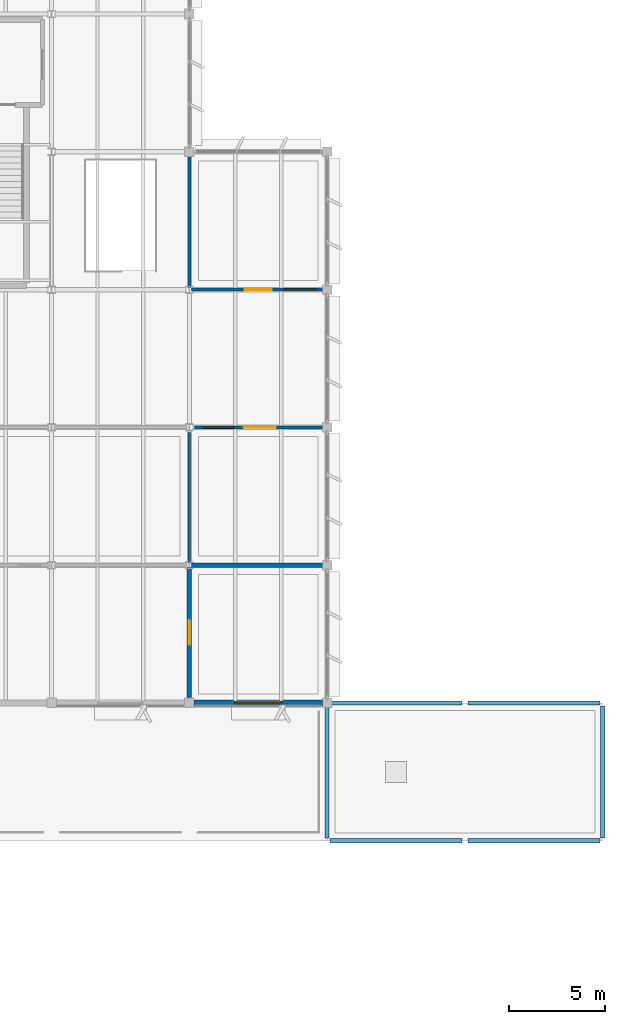
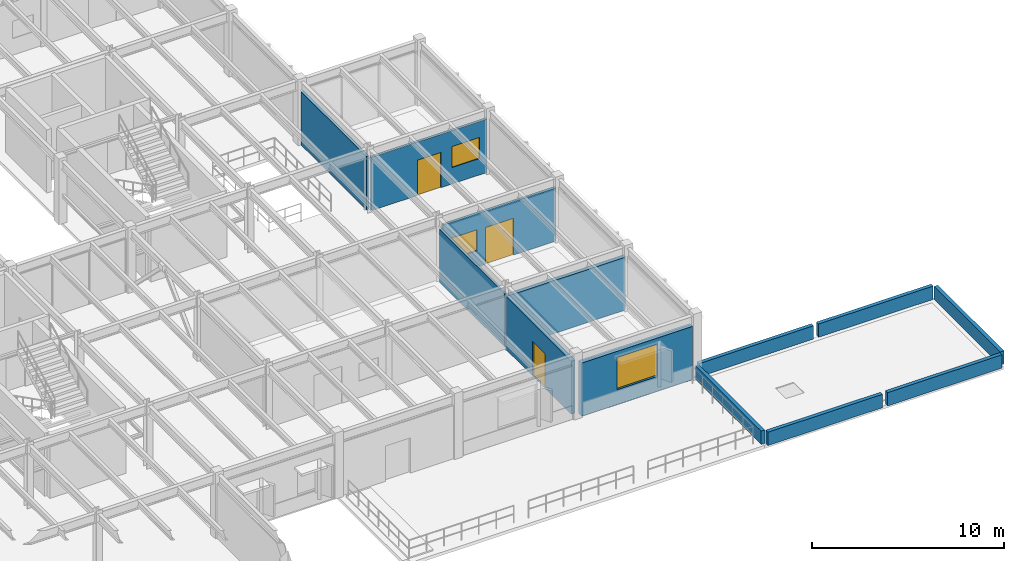
# One storey, part 43 of 85: 13 walls, 3 doors, 3 windows, 6 openings.
"""IFC4 building model written with IfcOpenShell, lengths in metres."""

from ifc_helpers import new_model, si_unit, direction, frame, frame_2d, origin, place, context, subcontext, project, spatial, rectangle, extrude, material, layer, layer_set, type_object, element, fill, save


model = new_model("IFC4")

# Units and contexts
model_context = context("Model", 3, precision=1e-05, world=origin(), true_north=direction((0.0, 1.0)))
body_context = subcontext(model_context, "Body", "Model", "MODEL_VIEW")
ifc_project = project(units=[si_unit("LENGTHUNIT", "METRE"), si_unit("AREAUNIT", "SQUARE_METRE"), si_unit("VOLUMEUNIT", "CUBIC_METRE"), si_unit("PLANEANGLEUNIT", "RADIAN"), si_unit("MASSUNIT", "GRAM", prefix="KILO")], contexts=[model_context])

# Site, building, storey
site_placement = place(None, origin())
site = spatial("IfcSite", under=ifc_project, at=site_placement, CompositionType="ELEMENT")
building_placement = place(site_placement, origin())
building = spatial("IfcBuilding", under=site, at=building_placement, Name="Sillqori Civic Hall", CompositionType="ELEMENT")
storey_placement = place(building_placement, frame((0.0, 0.0, 9.89990234375)))
storey = spatial("IfcBuildingStorey", under=building, at=storey_placement, Name="L03", CompositionType="ELEMENT", Elevation=9.89990234375)

# Wall, opening, window
ifc_material_1 = material(Name="Precast concrete C40/50 (H40)", Category="concrete")
ifc_layer_1 = layer(ifc_material_1, 0.300048828125)
ifc_layer_set_1 = layer_set([ifc_layer_1], Name="Precast concrete C40/50 (H40)")
wall_type_1 = type_object("IfcWallType", Name="EW-LIME-300", PredefinedType="SOLIDWALL", material=ifc_layer_set_1)
wall_1_placement = place(storey_placement, frame((143.75, 28.800048828125, 0.0), z_axis=(0.0, 0.0, 1.0), x_axis=(-1.0, 0.0, 0.0)))
wall_1 = element("IfcWall", 1, at=wall_1_placement, inside=storey, type_object=wall_type_1, Name="L03 V3 exterior wall L03-19-04-S", PredefinedType="SOLIDWALL", context=body_context, shape_type="SweptSolid", body=[
    extrude(rectangle(XDim=6.699951171875, YDim=0.300048828125, at=frame_2d((3.35009765625, 0.0))), origin(), (0.0, 0.0, 1.0), 3.38818359375),
])
opening_1_placement = place(wall_1_placement, frame((2.125, 0.0, 0.949951171875)))
opening_1 = element("IfcOpeningElement", 2, at=opening_1_placement, cuts=wall_1, Name="Opening W-40", PredefinedType="OPENING", context=body_context, shape_type="SweptSolid", body=[
    extrude(rectangle(XDim=2.449951171875, YDim=2.050048828125, at=frame_2d((1.22509765625, 1.02490234375))), frame((0.0, 0.159912109375, 0.0), z_axis=(0.0, -1.0, 0.0), x_axis=(1.0, 0.0, 0.0)), (0.0, 0.0, 1.0), 0.320068359375),
])
ifc_material_2 = material(Name="Thermally Broken Aluminium Low-E Window", Category="aluminium")
window_type_1 = type_object("IfcWindowType", Name="WIN-GD-245X205", PartitioningType="SINGLE_PANEL", PredefinedType="WINDOW", material=ifc_material_2)
window_1_placement = place(opening_1_placement, origin())
window_1 = element("IfcWindow", 3, at=window_1_placement, inside=storey, type_object=window_type_1, Name="L03 V3 window L03-19-04-S.1", OverallHeight=2.050048828125, OverallWidth=2.449951171875, PartitioningType="SINGLE_PANEL", PredefinedType="WINDOW", context=body_context, shape_type="SweptSolid", body=[
    extrude(rectangle(XDim=2.449951171875, YDim=2.050048828125, at=frame_2d((1.22509765625, 1.02490234375))), frame((0.0, 0.030029296875, 0.0), z_axis=(0.0, -1.0, 0.0), x_axis=(1.0, 0.0, 0.0)), (0.0, 0.0, 1.0), 0.06005859375),
])
fill(opening_1, window_1)

# Wall, opening, door
ifc_material_3 = material(Name="Concrete C25/30 (H25)", Category="concrete")
ifc_layer_2 = layer(ifc_material_3, 0.235107421875)
ifc_layer_set_2 = layer_set([ifc_layer_2], Name="Concrete C25/30 (H25)")
wall_type_2 = type_object("IfcWallType", Name="PT-ARC-235", PredefinedType="PARTITIONING", material=ifc_layer_set_2)
wall_2_placement = place(storey_placement, frame((136.800048828125, 29.080078125, 0.0), z_axis=(0.0, 0.0, 1.0), x_axis=(0.0, 1.0, 0.0)))
wall_2 = element("IfcWall", 4, at=wall_2_placement, inside=storey, type_object=wall_type_2, Name="Rare Books Conservation Consultation Room partition W1", PredefinedType="PARTITIONING", context=body_context, shape_type="SweptSolid", body=[
    extrude(rectangle(XDim=6.7998046875, YDim=0.235107421875, at=frame_2d((3.39990234375, 0.0))), origin(), (0.0, 0.0, 1.0), 3.378173828125),
])
opening_2_placement = place(wall_2_placement, frame((2.75, 0.0, 0.0)))
opening_2 = element("IfcOpeningElement", 5, at=opening_2_placement, cuts=wall_2, Name="Opening FD-06", PredefinedType="OPENING", context=body_context, shape_type="SweptSolid", body=[
    extrude(rectangle(XDim=1.300048828125, YDim=2.199951171875, at=frame_2d((0.64990234375, 1.10009765625))), frame((0.0, 0.12744140625, 0.0), z_axis=(0.0, -1.0, 0.0), x_axis=(1.0, 0.0, 0.0)), (0.0, 0.0, 1.0), 0.255126953125),
])
ifc_material_4 = material(Name="Archive Vault Fire Door", Category="steel")
door_type_1 = type_object("IfcDoorType", Name="FDR-ARC-130X220", OperationType="NOTDEFINED", PredefinedType="DOOR", material=ifc_material_4)
door_1_placement = place(opening_2_placement, origin())
door_1 = element("IfcDoor", 6, at=door_1_placement, inside=storey, type_object=door_type_1, Name="Rare Books Conservation Consultation Room entrance door", OperationType="SINGLE_SWING_RIGHT", OverallHeight=2.199951171875, OverallWidth=1.300048828125, PredefinedType="DOOR", context=body_context, shape_type="SweptSolid", body=[
    extrude(rectangle(XDim=1.300048828125, YDim=2.199951171875, at=frame_2d((0.64990234375, 1.10009765625))), frame((0.0, 0.02490234375, 0.0), z_axis=(0.0, -1.0, 0.0), x_axis=(1.0, 0.0, 0.0)), (0.0, 0.0, 1.0), 0.050048828125),
])
fill(opening_2, door_1)

# Walls
wall_3_placement = place(storey_placement, frame((136.919921875, 36.0, 0.0), z_axis=(0.0, 0.0, 1.0), x_axis=(1.0, 0.0, 0.0)))
element("IfcWall", 7, at=wall_3_placement, inside=storey, type_object=wall_type_2, Name="Rare Books Conservation Consultation Room partition N2", PredefinedType="PARTITIONING", context=body_context, shape_type="SweptSolid", body=[
    extrude(rectangle(XDim=6.9599609375, YDim=0.235107421875, at=frame_2d((3.47998046875, 0.0))), origin(), (0.0, 0.0, 1.0), 3.378173828125),
])
ifc_material_5 = material(Name="Double-Board Acoustic Partition 128", Category="gypsum")
ifc_layer_3 = layer(ifc_material_5, 0.1279296875)
ifc_layer_set_3 = layer_set([ifc_layer_3], Name="Double-Board Acoustic Partition 128")
wall_type_3 = type_object("IfcWallType", Name="PT-GYP-128", PredefinedType="PARTITIONING", material=ifc_layer_set_3)
wall_4_placement = place(storey_placement, frame((136.800048828125, 42.919921875, 0.0), z_axis=(0.0, 0.0, 1.0), x_axis=(0.0, -1.0, 0.0)))
element("IfcWall", 8, at=wall_4_placement, inside=storey, type_object=wall_type_3, Name="Members Library Quiet Study Reading Room partition E6", PredefinedType="PARTITIONING", context=body_context, shape_type="SweptSolid", body=[
    extrude(rectangle(XDim=6.7998046875, YDim=0.1279296875, at=frame_2d((3.39990234375, 0.0))), origin(), (0.0, 0.0, 1.0), 3.378173828125),
])

# Wall, openings, door, window
ifc_material_6 = material(Name="Hearing Acoustic Partition 154", Category="gypsum")
ifc_layer_4 = layer(ifc_material_6, 0.154052734375)
ifc_layer_set_4 = layer_set([ifc_layer_4], Name="Hearing Acoustic Partition 154")
wall_type_4 = type_object("IfcWallType", Name="PT-GYP-154", PredefinedType="PARTITIONING", material=ifc_layer_set_4)
wall_5_placement = place(storey_placement, frame((137.080078125, 43.199951171875, 0.0), z_axis=(0.0, 0.0, 1.0), x_axis=(1.0, 0.0, 0.0)))
wall_5 = element("IfcWall", 9, at=wall_5_placement, inside=storey, type_object=wall_type_4, Name="Members Library Quiet Study Reading Room L03-05 partition N1", PredefinedType="PARTITIONING", context=body_context, shape_type="SweptSolid", body=[
    extrude(rectangle(XDim=6.7998046875, YDim=0.154052734375, at=frame_2d((3.39990234375, 0.0))), origin(), (0.0, 0.0, 1.0), 3.398193359375),
])
opening_3_placement = place(wall_5_placement, frame((2.56005859375, 0.0, 0.0)))
opening_3 = element("IfcOpeningElement", 10, at=opening_3_placement, cuts=wall_5, Name="Opening ID-09", PredefinedType="OPENING", context=body_context, shape_type="SweptSolid", body=[
    extrude(rectangle(XDim=1.679931640625, YDim=2.35009765625, at=frame_2d((0.83984375, 1.175048828125))), frame((0.0, 0.0869140625, 0.0), z_axis=(0.0, -1.0, 0.0), x_axis=(1.0, 0.0, 0.0)), (0.0, 0.0, 1.0), 0.174072265625),
])
opening_4_placement = place(wall_5_placement, frame((0.449951171875, 0.0, 1.050048828125)))
opening_4 = element("IfcOpeningElement", 11, at=opening_4_placement, cuts=wall_5, Name="Opening IW-41", PredefinedType="OPENING", context=body_context, shape_type="SweptSolid", body=[
    extrude(rectangle(XDim=1.580078125, YDim=1.340087890625, at=frame_2d((0.7900390625, 0.669921875))), frame((0.0, 0.0869140625, 0.0), z_axis=(0.0, -1.0, 0.0), x_axis=(1.0, 0.0, 0.0)), (0.0, 0.0, 1.0), 0.174072265625),
])
ifc_material_7 = material(Name="Library Reading Room Acoustic Door", Category="timber")
door_type_2 = type_object("IfcDoorType", Name="IDR-LIB-168X235", OperationType="NOTDEFINED", PredefinedType="DOOR", material=ifc_material_7)
door_2_placement = place(opening_3_placement, origin())
door_2 = element("IfcDoor", 12, at=door_2_placement, inside=storey, type_object=door_type_2, Name="Members Library Quiet Study Reading Room L03-05 entrance door", OperationType="DOUBLE_DOOR_SINGLE_SWING", OverallHeight=2.35009765625, OverallWidth=1.679931640625, PredefinedType="DOOR", context=body_context, shape_type="SweptSolid", body=[
    extrude(rectangle(XDim=1.679931640625, YDim=2.35009765625, at=frame_2d((0.83984375, 1.175048828125))), frame((0.0, 0.02490234375, 0.0), z_axis=(0.0, -1.0, 0.0), x_axis=(1.0, 0.0, 0.0)), (0.0, 0.0, 1.0), 0.050048828125),
])
fill(opening_3, door_2)
ifc_material_8 = material(Name="Acoustic Laminated Interior Clerestory Glazing", Category="glass")
window_type_2 = type_object("IfcWindowType", Name="IWN-GAL-158X134", PartitioningType="SINGLE_PANEL", PredefinedType="WINDOW", material=ifc_material_8)
window_2_placement = place(opening_4_placement, origin())
window_2 = element("IfcWindow", 13, at=window_2_placement, inside=storey, type_object=window_type_2, Name="Members Library Quiet Study Reading Room L03-05 borrowed-light screen", OverallHeight=1.340087890625, OverallWidth=1.580078125, PartitioningType="SINGLE_PANEL", PredefinedType="WINDOW", context=body_context, shape_type="SweptSolid", body=[
    extrude(rectangle(XDim=1.580078125, YDim=1.340087890625, at=frame_2d((0.7900390625, 0.669921875))), frame((0.0, 0.030029296875, 0.0), z_axis=(0.0, -1.0, 0.0), x_axis=(1.0, 0.0, 0.0)), (0.0, 0.0, 1.0), 0.06005859375),
])
fill(opening_4, window_2)

ifc_material_9 = material(Name="Hearing Acoustic Partition 158", Category="gypsum")
ifc_layer_5 = layer(ifc_material_9, 0.157958984375)
ifc_layer_set_5 = layer_set([ifc_layer_5], Name="Hearing Acoustic Partition 158")
wall_type_5 = type_object("IfcWallType", Name="PT-GYP-158", PredefinedType="PARTITIONING", material=ifc_layer_set_5)
wall_6_placement = place(storey_placement, frame((143.8798828125, 50.39990234375, 0.0), z_axis=(0.0, 0.0, 1.0), x_axis=(-1.0, 0.0, 0.0)))
wall_6 = element("IfcWall", 14, at=wall_6_placement, inside=storey, type_object=wall_type_5, Name="Library Open Book Stacks Historic Statutes L03-06 partition S1", PredefinedType="PARTITIONING", context=body_context, shape_type="SweptSolid", body=[
    extrude(rectangle(XDim=6.9599609375, YDim=0.157958984375, at=frame_2d((3.47998046875, 0.0))), origin(), (0.0, 0.0, 1.0), 3.398193359375),
])
opening_5_placement = place(wall_6_placement, frame((2.780029296875, 0.0, 0.0)))
opening_5 = element("IfcOpeningElement", 15, at=opening_5_placement, cuts=wall_6, Name="Opening ID-10", PredefinedType="OPENING", context=body_context, shape_type="SweptSolid", body=[
    extrude(rectangle(XDim=1.39990234375, YDim=2.25, at=frame_2d((0.699951171875, 1.125))), frame((0.0, 0.0888671875, 0.0), z_axis=(0.0, -1.0, 0.0), x_axis=(1.0, 0.0, 0.0)), (0.0, 0.0, 1.0), 0.177978515625),
])
opening_6_placement = place(wall_6_placement, frame((0.449951171875, 0.0, 1.050048828125)))
opening_6 = element("IfcOpeningElement", 16, at=opening_6_placement, cuts=wall_6, Name="Opening IW-42", PredefinedType="OPENING", context=body_context, shape_type="SweptSolid", body=[
    extrude(rectangle(XDim=1.679931640625, YDim=1.340087890625, at=frame_2d((0.83984375, 0.669921875))), frame((0.0, 0.0888671875, 0.0), z_axis=(0.0, -1.0, 0.0), x_axis=(1.0, 0.0, 0.0)), (0.0, 0.0, 1.0), 0.177978515625),
])
ifc_material_10 = material(Name="Open Stacks Double Leaf Fire Door", Category="timber")
door_type_3 = type_object("IfcDoorType", Name="IDR-STK-140X225", OperationType="NOTDEFINED", PredefinedType="DOOR", material=ifc_material_10)
door_3_placement = place(opening_5_placement, origin())
door_3 = element("IfcDoor", 17, at=door_3_placement, inside=storey, type_object=door_type_3, Name="Library Open Book Stacks Historic Statutes L03-06 entrance door", OperationType="DOUBLE_DOOR_SINGLE_SWING", OverallHeight=2.25, OverallWidth=1.39990234375, PredefinedType="DOOR", context=body_context, shape_type="SweptSolid", body=[
    extrude(rectangle(XDim=1.39990234375, YDim=2.25, at=frame_2d((0.699951171875, 1.125))), frame((0.0, 0.02490234375, 0.0), z_axis=(0.0, -1.0, 0.0), x_axis=(1.0, 0.0, 0.0)), (0.0, 0.0, 1.0), 0.050048828125),
])
fill(opening_5, door_3)
window_type_3 = type_object("IfcWindowType", Name="IWN-GAL-168X134", PartitioningType="SINGLE_PANEL", PredefinedType="WINDOW", material=ifc_material_8)
window_3_placement = place(opening_6_placement, origin())
window_3 = element("IfcWindow", 18, at=window_3_placement, inside=storey, type_object=window_type_3, Name="Library Open Book Stacks Historic Statutes L03-06 borrowed-light screen", OverallHeight=1.340087890625, OverallWidth=1.679931640625, PartitioningType="SINGLE_PANEL", PredefinedType="WINDOW", context=body_context, shape_type="SweptSolid", body=[
    extrude(rectangle(XDim=1.679931640625, YDim=1.340087890625, at=frame_2d((0.83984375, 0.669921875))), frame((0.0, 0.030029296875, 0.0), z_axis=(0.0, -1.0, 0.0), x_axis=(1.0, 0.0, 0.0)), (0.0, 0.0, 1.0), 0.06005859375),
])
fill(opening_6, window_3)

# Walls
wall_7_placement = place(storey_placement, frame((136.800048828125, 50.52001953125, 0.0), z_axis=(0.0, 0.0, 1.0), x_axis=(0.0, 1.0, 0.0)))
element("IfcWall", 19, at=wall_7_placement, inside=storey, type_object=wall_type_5, Name="Library Open Book Stacks Historic Statutes L03-06 partition W2", PredefinedType="PARTITIONING", context=body_context, shape_type="SweptSolid", body=[
    extrude(rectangle(XDim=6.800048828125, YDim=0.157958984375, at=frame_2d((3.39990234375, 0.0))), origin(), (0.0, 0.0, 1.0), 3.398193359375),
])
ifc_layer_6 = layer(ifc_material_1, 0.219970703125)
ifc_layer_set_6 = layer_set([ifc_layer_6], Name="Precast concrete C40/50 (H40)")
wall_type_6 = type_object("IfcWallType", Name="WP-PAR-220", PredefinedType="PARAPET", material=ifc_layer_set_6)
for number, where, z_axis, x_axis, name in (
    (20, (151.35009765625, 28.800048828125, 0.0), (0.0, 0.0, 1.0), (1.0, 0.0, 0.0), "L03 roof parapet 00"),
    (21, (158.39990234375, 28.64990234375, 0.0), (0.0, 0.0, 1.0), (0.0, -1.0, 0.0), "L03 roof parapet 01"),
    (22, (158.25, 21.60009765625, 0.0), (0.0, 0.0, 1.0), (-1.0, 0.0, 0.0), "L03 roof parapet 02"),
):
    element("IfcWall", number, at=place(storey_placement, frame(where, z_axis=z_axis, x_axis=x_axis)), inside=storey, type_object=wall_type_6, Name=name, PredefinedType="PARAPET", context=body_context, shape_type="SweptSolid", body=[
        extrude(rectangle(XDim=6.89990234375, YDim=0.219970703125, at=frame_2d((3.449951171875, 0.0))), origin(), (0.0, 0.0, 1.0), 0.85009765625),
    ])
wall_8_placement = place(storey_placement, frame((151.050048828125, 21.60009765625, 0.0), z_axis=(0.0, 0.0, 1.0), x_axis=(-1.0, 0.0, 0.0)))
element("IfcWall", 23, at=wall_8_placement, inside=storey, type_object=wall_type_6, Name="L03 roof parapet 03", PredefinedType="PARAPET", context=body_context, shape_type="SweptSolid", body=[
    extrude(rectangle(XDim=6.900146484375, YDim=0.219970703125, at=frame_2d((3.4501953125, 0.0))), origin(), (0.0, 0.0, 1.0), 0.85009765625),
])
wall_9_placement = place(storey_placement, frame((144.0, 21.75, 0.0), z_axis=(0.0, 0.0, 1.0), x_axis=(0.0, 1.0, 0.0)))
element("IfcWall", 24, at=wall_9_placement, inside=storey, type_object=wall_type_6, Name="L03 roof parapet 04", PredefinedType="PARAPET", context=body_context, shape_type="SweptSolid", body=[
    extrude(rectangle(XDim=6.89990234375, YDim=0.219970703125, at=frame_2d((3.449951171875, 0.0))), origin(), (0.0, 0.0, 1.0), 0.85009765625),
])
wall_10_placement = place(storey_placement, frame((144.14990234375, 28.800048828125, 0.0), z_axis=(0.0, 0.0, 1.0), x_axis=(1.0, 0.0, 0.0)))
element("IfcWall", 25, at=wall_10_placement, inside=storey, type_object=wall_type_6, Name="L03 roof parapet 05", PredefinedType="PARAPET", context=body_context, shape_type="SweptSolid", body=[
    extrude(rectangle(XDim=6.900146484375, YDim=0.219970703125, at=frame_2d((3.4501953125, 0.0))), origin(), (0.0, 0.0, 1.0), 0.85009765625),
])

save(model, "model.ifc")
